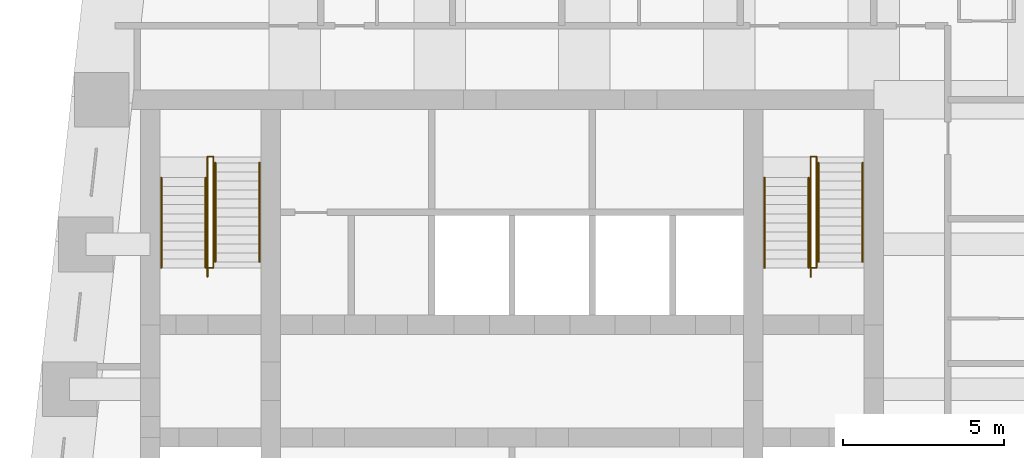
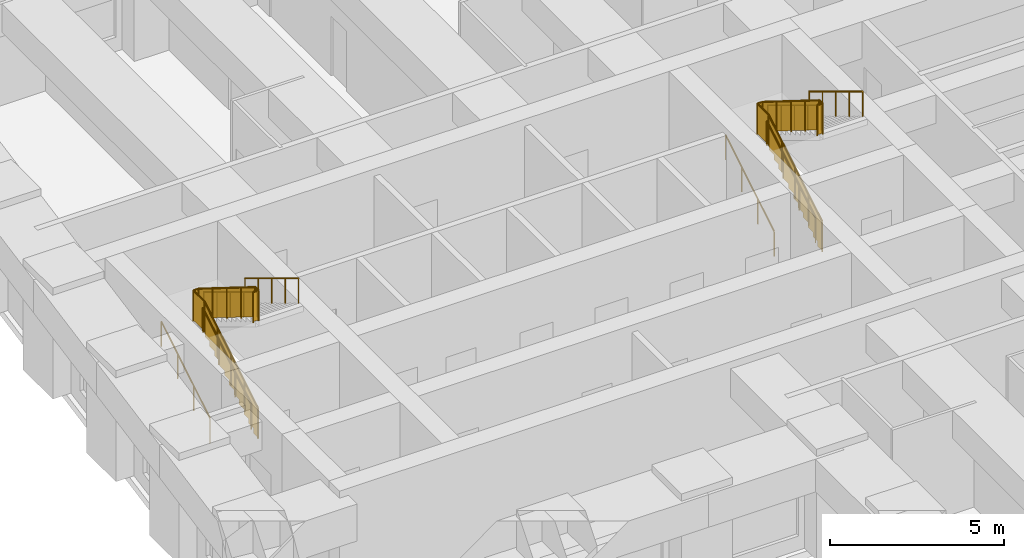
# One storey, part 7 of 7: 12 railings.
"""IFC4 building model written with IfcOpenShell, lengths in metres."""

from ifc_helpers import new_model, si_unit, direction, frame, origin, origin_2d, place, context, subcontext, project, spatial, polyline, circle, outline, extrude, material, type_object, element, save


model = new_model("IFC4")

# Units and contexts
model_context = context("Model", 3, precision=1e-05, world=origin(), true_north=direction((0.0, 1.0)))
body_context = subcontext(model_context, "Body", "Model", "MODEL_VIEW")
ifc_project = project(units=[si_unit("LENGTHUNIT", "METRE"), si_unit("AREAUNIT", "SQUARE_METRE"), si_unit("VOLUMEUNIT", "CUBIC_METRE"), si_unit("PLANEANGLEUNIT", "RADIAN"), si_unit("MASSUNIT", "GRAM", prefix="KILO")], contexts=[model_context])

# Site, building, storey
site_placement = place(None, origin())
site = spatial("IfcSite", under=ifc_project, at=site_placement, CompositionType="ELEMENT")
building_placement = place(site_placement, origin())
building = spatial("IfcBuilding", under=site, at=building_placement, Name="Kilele Tower Hotel", CompositionType="ELEMENT")
storey_placement = place(building_placement, frame((0.0, 0.0, 229.10009765625)))
storey = spatial("IfcBuildingStorey", under=building, at=storey_placement, Name="L59", CompositionType="ELEMENT", Elevation=229.10009765625)

# Railings
ifc_material_1 = material(Name="Steel handrail", Category="steel")
railing_type_1 = type_object("IfcRailingType", Name="Handrail 900", PredefinedType="HANDRAIL", material=ifc_material_1)
for number, where, name in (
    (1, (13.85009765625, 21.77490234375, 0.16943359375), "Handrail ST1 flight 1"),
    (2, (15.22509765625, 21.77490234375, 0.16943359375), "Handrail ST1 flight 1"),
):
    element("IfcRailing", number, at=place(storey_placement, frame(where)), inside=storey, type_object=railing_type_1, Name=name, PredefinedType="HANDRAIL", context=body_context, shape_type="SweptSolid", body=[
        extrude(circle(Radius=0.02490234375, at=origin_2d()), frame((0.0, 0.0, 0.875), z_axis=(0.0, 0.855360072898, 0.518033923302), x_axis=(-1.0, 0.0, 0.0)), (0.0, 0.0, 1.0), 3.2734375),
        extrude(circle(Radius=0.02001953125, at=origin_2d()), origin(), (0.0, 0.0, 1.0), 0.849853515625),
        extrude(circle(Radius=0.02001953125, at=origin_2d()), frame((0.0, 0.933349609375, 0.565185546875)), (0.0, 0.0, 1.0), 0.849853515625),
        extrude(circle(Radius=0.02001953125, at=origin_2d()), frame((0.0, 1.86669921875, 1.130615234375)), (0.0, 0.0, 1.0), 0.849853515625),
        extrude(circle(Radius=0.02001953125, at=origin_2d()), frame((0.0, 2.800048828125, 1.69580078125)), (0.0, 0.0, 1.0), 0.849853515625),
    ])
for number, where, name in (
    (3, (15.52490234375, 25.0400390625, 2.03466796875), "Handrail ST1 flight 2"),
    (4, (16.89990234375, 25.0400390625, 2.03466796875), "Handrail ST1 flight 2"),
):
    element("IfcRailing", number, at=place(storey_placement, frame(where)), inside=storey, type_object=railing_type_1, Name=name, PredefinedType="HANDRAIL", context=body_context, shape_type="SweptSolid", body=[
        extrude(circle(Radius=0.02490234375, at=origin_2d()), frame((0.0, 0.0, 0.875), z_axis=(0.0, -0.855379917629, 0.518001154937), x_axis=(1.0, 0.0, 0.0)), (0.0, 0.0, 1.0), 3.600830078125),
        extrude(circle(Radius=0.02001953125, at=origin_2d()), origin(), (0.0, 0.0, 1.0), 0.849853515625),
        extrude(circle(Radius=0.02001953125, at=origin_2d()), frame((0.0, -0.77001953125, 0.46630859375)), (0.0, 0.0, 1.0), 0.849853515625),
        extrude(circle(Radius=0.02001953125, at=origin_2d()), frame((0.0, -1.5400390625, 0.9326171875)), (0.0, 0.0, 1.0), 0.849853515625),
        extrude(circle(Radius=0.02001953125, at=origin_2d()), frame((0.0, -2.31005859375, 1.39892578125)), (0.0, 0.0, 1.0), 0.849853515625),
        extrude(circle(Radius=0.02001953125, at=origin_2d()), frame((0.0, -3.080078125, 1.865234375)), (0.0, 0.0, 1.0), 0.849853515625),
    ])
for number, where, name in (
    (5, (32.60009765625, 21.77490234375, 0.16943359375), "Handrail ST2 flight 1"),
    (6, (33.97509765625, 21.77490234375, 0.16943359375), "Handrail ST2 flight 1"),
):
    element("IfcRailing", number, at=place(storey_placement, frame(where)), inside=storey, type_object=railing_type_1, Name=name, PredefinedType="HANDRAIL", context=body_context, shape_type="SweptSolid", body=[
        extrude(circle(Radius=0.02490234375, at=origin_2d()), frame((0.0, 0.0, 0.875), z_axis=(0.0, 0.855360072898, 0.518033923302), x_axis=(-1.0, 0.0, 0.0)), (0.0, 0.0, 1.0), 3.2734375),
        extrude(circle(Radius=0.02001953125, at=origin_2d()), origin(), (0.0, 0.0, 1.0), 0.849853515625),
        extrude(circle(Radius=0.02001953125, at=origin_2d()), frame((0.0, 0.933349609375, 0.565185546875)), (0.0, 0.0, 1.0), 0.849853515625),
        extrude(circle(Radius=0.02001953125, at=origin_2d()), frame((0.0, 1.86669921875, 1.130615234375)), (0.0, 0.0, 1.0), 0.849853515625),
        extrude(circle(Radius=0.02001953125, at=origin_2d()), frame((0.0, 2.800048828125, 1.69580078125)), (0.0, 0.0, 1.0), 0.849853515625),
    ])
for number, where, name in (
    (7, (34.27490234375, 25.0400390625, 2.03466796875), "Handrail ST2 flight 2"),
    (8, (35.64990234375, 25.0400390625, 2.03466796875), "Handrail ST2 flight 2"),
):
    element("IfcRailing", number, at=place(storey_placement, frame(where)), inside=storey, type_object=railing_type_1, Name=name, PredefinedType="HANDRAIL", context=body_context, shape_type="SweptSolid", body=[
        extrude(circle(Radius=0.02490234375, at=origin_2d()), frame((0.0, 0.0, 0.875), z_axis=(0.0, -0.855379917629, 0.518001154937), x_axis=(1.0, 0.0, 0.0)), (0.0, 0.0, 1.0), 3.600830078125),
        extrude(circle(Radius=0.02001953125, at=origin_2d()), origin(), (0.0, 0.0, 1.0), 0.849853515625),
        extrude(circle(Radius=0.02001953125, at=origin_2d()), frame((0.0, -0.77001953125, 0.46630859375)), (0.0, 0.0, 1.0), 0.849853515625),
        extrude(circle(Radius=0.02001953125, at=origin_2d()), frame((0.0, -1.5400390625, 0.9326171875)), (0.0, 0.0, 1.0), 0.849853515625),
        extrude(circle(Radius=0.02001953125, at=origin_2d()), frame((0.0, -2.31005859375, 1.39892578125)), (0.0, 0.0, 1.0), 0.849853515625),
        extrude(circle(Radius=0.02001953125, at=origin_2d()), frame((0.0, -3.080078125, 1.865234375)), (0.0, 0.0, 1.0), 0.849853515625),
    ])
ifc_material_2 = material(Name="Steel guard", Category="steel")
railing_type_2 = type_object("IfcRailingType", Name="Stair guard 1100", PredefinedType="GUARDRAIL", material=ifc_material_2)
railing_1_placement = place(storey_placement, frame((15.284912109375, 21.4951171875, 0.0)))
element("IfcRailing", 9, at=railing_1_placement, inside=storey, type_object=railing_type_2, Name="Stair well guard ST1 flight 1", PredefinedType="GUARDRAIL", context=body_context, shape_type="SweptSolid", body=[
    extrude(circle(Radius=0.02490234375, at=origin_2d()), frame((0.0, 0.0, 1.0751953125), z_axis=(0.0, 0.855391767622, 0.517981586434), x_axis=(-1.0, 0.0, 0.0)), (0.0, 0.0, 1.0), 3.6005859375),
    extrude(circle(Radius=0.02490234375, at=origin_2d()), frame((0.0, 3.079833984375, 2.93994140625), z_axis=(0.0, 1.0, 0.0), x_axis=(-1.0, 0.0, 0.0)), (0.0, 0.0, 1.0), 0.650146484375),
    extrude(circle(Radius=0.02490234375, at=origin_2d()), frame((0.0, 3.72998046875, 2.93994140625), z_axis=(1.0, 0.0, 0.0), x_axis=(0.0, 1.0, 0.0)), (0.0, 0.0, 1.0), 0.18017578125),
    extrude(circle(Radius=0.02490234375, at=origin_2d()), origin(), (0.0, 0.0, 1.0), 1.050048828125),
    extrude(circle(Radius=0.02490234375, at=origin_2d()), frame((0.0, 0.77001953125, 0.46630859375)), (0.0, 0.0, 1.0), 1.050048828125),
    extrude(circle(Radius=0.02490234375, at=origin_2d()), frame((0.0, 1.5400390625, 0.9326171875)), (0.0, 0.0, 1.0), 1.050048828125),
    extrude(circle(Radius=0.02490234375, at=origin_2d()), frame((0.0, 2.309814453125, 1.398681640625)), (0.0, 0.0, 1.0), 1.050048828125),
    extrude(circle(Radius=0.02490234375, at=origin_2d()), frame((0.0, 3.079833984375, 1.864990234375)), (0.0, 0.0, 1.0), 1.050048828125),
    extrude(circle(Radius=0.02490234375, at=origin_2d()), frame((0.0, 3.72998046875, 1.864990234375)), (0.0, 0.0, 1.0), 1.050048828125),
    extrude(circle(Radius=0.02490234375, at=origin_2d()), frame((0.18017578125, 3.72998046875, 1.864990234375)), (0.0, 0.0, 1.0), 1.050048828125),
    extrude(outline(polyline([(0.012451171875, 0.030029296875), (0.25, 0.030029296875), (0.25, 0.199462890625), (0.530029296875, 0.199462890625), (0.530029296875, 0.369140625), (0.809814453125, 0.369140625), (0.809814453125, 0.53857421875), (1.08984375, 0.53857421875), (1.08984375, 0.708251953125), (1.369873046875, 0.708251953125), (1.369873046875, 0.877685546875), (1.64990234375, 0.877685546875), (1.64990234375, 1.04736328125), (1.929931640625, 1.04736328125), (1.929931640625, 1.216796875), (2.2099609375, 1.216796875), (2.2099609375, 1.386474609375), (2.48974609375, 1.386474609375), (2.48974609375, 1.555908203125), (2.769775390625, 1.555908203125), (2.769775390625, 1.7255859375), (3.0498046875, 1.7255859375), (3.0498046875, 1.89501953125), (3.0673828125, 1.89501953125), (3.0673828125, 2.9033203125), (0.012451171875, 1.053466796875), (0.012451171875, 0.030029296875)])), frame((-0.005859375, 0.0, 0.0), z_axis=(1.0, 0.0, 0.0), x_axis=(0.0, 1.0, 0.0)), (0.0, 0.0, 1.0), 0.011962890625),
    extrude(outline(polyline([(0.012451171875, 0.030029296875), (0.6376953125, 0.030029296875), (0.6376953125, 1.050048828125), (0.012451171875, 1.050048828125), (0.012451171875, 0.030029296875)])), frame((-0.005859375, 3.079833984375, 1.864990234375), z_axis=(1.0, 0.0, 0.0), x_axis=(0.0, 1.0, 0.0)), (0.0, 0.0, 1.0), 0.011962890625),
    extrude(outline(polyline([(0.012451171875, 0.030029296875), (0.18017578125, 0.030029296875), (0.18017578125, 1.050048828125), (0.012451171875, 1.050048828125), (0.012451171875, 0.030029296875)])), frame((0.0, 3.73583984375, 1.864990234375), z_axis=(0.0, -1.0, 0.0), x_axis=(1.0, 0.0, 0.0)), (0.0, 0.0, 1.0), 0.011962890625),
])
railing_2_placement = place(storey_placement, frame((15.465087890625, 25.22509765625, 1.864990234375)))
element("IfcRailing", 10, at=railing_2_placement, inside=storey, type_object=railing_type_2, Name="Stair well guard ST1 flight 2", PredefinedType="GUARDRAIL", context=body_context, shape_type="SweptSolid", body=[
    extrude(circle(Radius=0.02490234375, at=origin_2d()), frame((0.0, 0.0, 1.0751953125), z_axis=(0.0, -0.848674962302, 0.528914745834), x_axis=(1.0, 0.0, 0.0)), (0.0, 0.0, 1.0), 3.847412109375),
    extrude(circle(Radius=0.02490234375, at=origin_2d()), frame((0.0, -3.26513671875, 3.10986328125), z_axis=(0.0, -1.0, 0.0), x_axis=(1.0, 0.0, 0.0)), (0.0, 0.0, 1.0), 0.18505859375),
    extrude(circle(Radius=0.02490234375, at=origin_2d()), frame((0.0, -3.4501953125, 3.10986328125), z_axis=(-1.0, 0.0, 0.0), x_axis=(0.0, -1.0, 0.0)), (0.0, 0.0, 1.0), 0.18017578125),
    extrude(circle(Radius=0.02490234375, at=origin_2d()), origin(), (0.0, 0.0, 1.0), 1.050048828125),
    extrude(circle(Radius=0.02490234375, at=origin_2d()), frame((0.0, -0.81640625, 0.5087890625)), (0.0, 0.0, 1.0), 1.050048828125),
    extrude(circle(Radius=0.02490234375, at=origin_2d()), frame((0.0, -1.632568359375, 1.017578125)), (0.0, 0.0, 1.0), 1.050048828125),
    extrude(circle(Radius=0.02490234375, at=origin_2d()), frame((0.0, -2.44873046875, 1.526123046875)), (0.0, 0.0, 1.0), 1.050048828125),
    extrude(circle(Radius=0.02490234375, at=origin_2d()), frame((0.0, -3.26513671875, 2.034912109375)), (0.0, 0.0, 1.0), 1.050048828125),
    extrude(circle(Radius=0.02490234375, at=origin_2d()), frame((0.0, -3.4501953125, 2.034912109375)), (0.0, 0.0, 1.0), 1.050048828125),
    extrude(circle(Radius=0.02490234375, at=origin_2d()), frame((-0.18017578125, -3.4501953125, 2.034912109375)), (0.0, 0.0, 1.0), 1.050048828125),
    extrude(outline(polyline([(0.0, 0.030029296875), (3.252685546875, 2.05712890625), (3.252685546875, 3.07275390625), (0.0, 1.045654296875), (0.0, 0.030029296875)])), frame((0.005859375, 0.0, 0.0), z_axis=(-1.0, 0.0, 0.0), x_axis=(0.0, -1.0, 0.0)), (0.0, 0.0, 1.0), 0.011962890625),
    extrude(outline(polyline([(0.012451171875, 0.030029296875), (0.172607421875, 0.030029296875), (0.172607421875, 1.050048828125), (0.012451171875, 1.050048828125), (0.012451171875, 0.030029296875)])), frame((0.005859375, -3.26513671875, 2.034912109375), z_axis=(-1.0, 0.0, 0.0), x_axis=(0.0, -1.0, 0.0)), (0.0, 0.0, 1.0), 0.011962890625),
    extrude(outline(polyline([(0.012451171875, 0.030029296875), (0.18017578125, 0.030029296875), (0.18017578125, 1.050048828125), (0.012451171875, 1.050048828125), (0.012451171875, 0.030029296875)])), frame((0.0, -3.4560546875, 2.034912109375), z_axis=(0.0, 1.0, 0.0), x_axis=(-1.0, 0.0, 0.0)), (0.0, 0.0, 1.0), 0.011962890625),
])
railing_3_placement = place(storey_placement, frame((34.034912109375, 21.4951171875, 0.0)))
element("IfcRailing", 11, at=railing_3_placement, inside=storey, type_object=railing_type_2, Name="Stair well guard ST2 flight 1", PredefinedType="GUARDRAIL", context=body_context, shape_type="SweptSolid", body=[
    extrude(circle(Radius=0.02490234375, at=origin_2d()), frame((0.0, 0.0, 1.0751953125), z_axis=(0.0, 0.855391767622, 0.517981586434), x_axis=(-1.0, 0.0, 0.0)), (0.0, 0.0, 1.0), 3.6005859375),
    extrude(circle(Radius=0.02490234375, at=origin_2d()), frame((0.0, 3.079833984375, 2.93994140625), z_axis=(0.0, 1.0, 0.0), x_axis=(-1.0, 0.0, 0.0)), (0.0, 0.0, 1.0), 0.650146484375),
    extrude(circle(Radius=0.02490234375, at=origin_2d()), frame((0.0, 3.72998046875, 2.93994140625), z_axis=(1.0, 0.0, 0.0), x_axis=(0.0, 1.0, 0.0)), (0.0, 0.0, 1.0), 0.18017578125),
    extrude(circle(Radius=0.02490234375, at=origin_2d()), origin(), (0.0, 0.0, 1.0), 1.050048828125),
    extrude(circle(Radius=0.02490234375, at=origin_2d()), frame((0.0, 0.77001953125, 0.46630859375)), (0.0, 0.0, 1.0), 1.050048828125),
    extrude(circle(Radius=0.02490234375, at=origin_2d()), frame((0.0, 1.5400390625, 0.9326171875)), (0.0, 0.0, 1.0), 1.050048828125),
    extrude(circle(Radius=0.02490234375, at=origin_2d()), frame((0.0, 2.309814453125, 1.398681640625)), (0.0, 0.0, 1.0), 1.050048828125),
    extrude(circle(Radius=0.02490234375, at=origin_2d()), frame((0.0, 3.079833984375, 1.864990234375)), (0.0, 0.0, 1.0), 1.050048828125),
    extrude(circle(Radius=0.02490234375, at=origin_2d()), frame((0.0, 3.72998046875, 1.864990234375)), (0.0, 0.0, 1.0), 1.050048828125),
    extrude(circle(Radius=0.02490234375, at=origin_2d()), frame((0.18017578125, 3.72998046875, 1.864990234375)), (0.0, 0.0, 1.0), 1.050048828125),
    extrude(outline(polyline([(0.012451171875, 0.030029296875), (0.25, 0.030029296875), (0.25, 0.199462890625), (0.530029296875, 0.199462890625), (0.530029296875, 0.369140625), (0.809814453125, 0.369140625), (0.809814453125, 0.53857421875), (1.08984375, 0.53857421875), (1.08984375, 0.708251953125), (1.369873046875, 0.708251953125), (1.369873046875, 0.877685546875), (1.64990234375, 0.877685546875), (1.64990234375, 1.04736328125), (1.929931640625, 1.04736328125), (1.929931640625, 1.216796875), (2.2099609375, 1.216796875), (2.2099609375, 1.386474609375), (2.48974609375, 1.386474609375), (2.48974609375, 1.555908203125), (2.769775390625, 1.555908203125), (2.769775390625, 1.7255859375), (3.0498046875, 1.7255859375), (3.0498046875, 1.89501953125), (3.0673828125, 1.89501953125), (3.0673828125, 2.9033203125), (0.012451171875, 1.053466796875), (0.012451171875, 0.030029296875)])), frame((-0.005859375, 0.0, 0.0), z_axis=(1.0, 0.0, 0.0), x_axis=(0.0, 1.0, 0.0)), (0.0, 0.0, 1.0), 0.011962890625),
    extrude(outline(polyline([(0.012451171875, 0.030029296875), (0.6376953125, 0.030029296875), (0.6376953125, 1.050048828125), (0.012451171875, 1.050048828125), (0.012451171875, 0.030029296875)])), frame((-0.005859375, 3.079833984375, 1.864990234375), z_axis=(1.0, 0.0, 0.0), x_axis=(0.0, 1.0, 0.0)), (0.0, 0.0, 1.0), 0.011962890625),
    extrude(outline(polyline([(0.012451171875, 0.030029296875), (0.18017578125, 0.030029296875), (0.18017578125, 1.050048828125), (0.012451171875, 1.050048828125), (0.012451171875, 0.030029296875)])), frame((0.0, 3.73583984375, 1.864990234375), z_axis=(0.0, -1.0, 0.0), x_axis=(1.0, 0.0, 0.0)), (0.0, 0.0, 1.0), 0.011962890625),
])
railing_4_placement = place(storey_placement, frame((34.215087890625, 25.22509765625, 1.864990234375)))
element("IfcRailing", 12, at=railing_4_placement, inside=storey, type_object=railing_type_2, Name="Stair well guard ST2 flight 2", PredefinedType="GUARDRAIL", context=body_context, shape_type="SweptSolid", body=[
    extrude(circle(Radius=0.02490234375, at=origin_2d()), frame((0.0, 0.0, 1.0751953125), z_axis=(0.0, -0.848674962302, 0.528914745834), x_axis=(1.0, 0.0, 0.0)), (0.0, 0.0, 1.0), 3.847412109375),
    extrude(circle(Radius=0.02490234375, at=origin_2d()), frame((0.0, -3.26513671875, 3.10986328125), z_axis=(0.0, -1.0, 0.0), x_axis=(1.0, 0.0, 0.0)), (0.0, 0.0, 1.0), 0.18505859375),
    extrude(circle(Radius=0.02490234375, at=origin_2d()), frame((0.0, -3.4501953125, 3.10986328125), z_axis=(-1.0, 0.0, 0.0), x_axis=(0.0, -1.0, 0.0)), (0.0, 0.0, 1.0), 0.18017578125),
    extrude(circle(Radius=0.02490234375, at=origin_2d()), origin(), (0.0, 0.0, 1.0), 1.050048828125),
    extrude(circle(Radius=0.02490234375, at=origin_2d()), frame((0.0, -0.81640625, 0.5087890625)), (0.0, 0.0, 1.0), 1.050048828125),
    extrude(circle(Radius=0.02490234375, at=origin_2d()), frame((0.0, -1.632568359375, 1.017578125)), (0.0, 0.0, 1.0), 1.050048828125),
    extrude(circle(Radius=0.02490234375, at=origin_2d()), frame((0.0, -2.44873046875, 1.526123046875)), (0.0, 0.0, 1.0), 1.050048828125),
    extrude(circle(Radius=0.02490234375, at=origin_2d()), frame((0.0, -3.26513671875, 2.034912109375)), (0.0, 0.0, 1.0), 1.050048828125),
    extrude(circle(Radius=0.02490234375, at=origin_2d()), frame((0.0, -3.4501953125, 2.034912109375)), (0.0, 0.0, 1.0), 1.050048828125),
    extrude(circle(Radius=0.02490234375, at=origin_2d()), frame((-0.18017578125, -3.4501953125, 2.034912109375)), (0.0, 0.0, 1.0), 1.050048828125),
    extrude(outline(polyline([(0.0, 0.030029296875), (3.252685546875, 2.05712890625), (3.252685546875, 3.07275390625), (0.0, 1.045654296875), (0.0, 0.030029296875)])), frame((0.005859375, 0.0, 0.0), z_axis=(-1.0, 0.0, 0.0), x_axis=(0.0, -1.0, 0.0)), (0.0, 0.0, 1.0), 0.011962890625),
    extrude(outline(polyline([(0.012451171875, 0.030029296875), (0.172607421875, 0.030029296875), (0.172607421875, 1.050048828125), (0.012451171875, 1.050048828125), (0.012451171875, 0.030029296875)])), frame((0.005859375, -3.26513671875, 2.034912109375), z_axis=(-1.0, 0.0, 0.0), x_axis=(0.0, -1.0, 0.0)), (0.0, 0.0, 1.0), 0.011962890625),
    extrude(outline(polyline([(0.012451171875, 0.030029296875), (0.18017578125, 0.030029296875), (0.18017578125, 1.050048828125), (0.012451171875, 1.050048828125), (0.012451171875, 0.030029296875)])), frame((0.0, -3.4560546875, 2.034912109375), z_axis=(0.0, 1.0, 0.0), x_axis=(-1.0, 0.0, 0.0)), (0.0, 0.0, 1.0), 0.011962890625),
])

save(model, "model.ifc")
